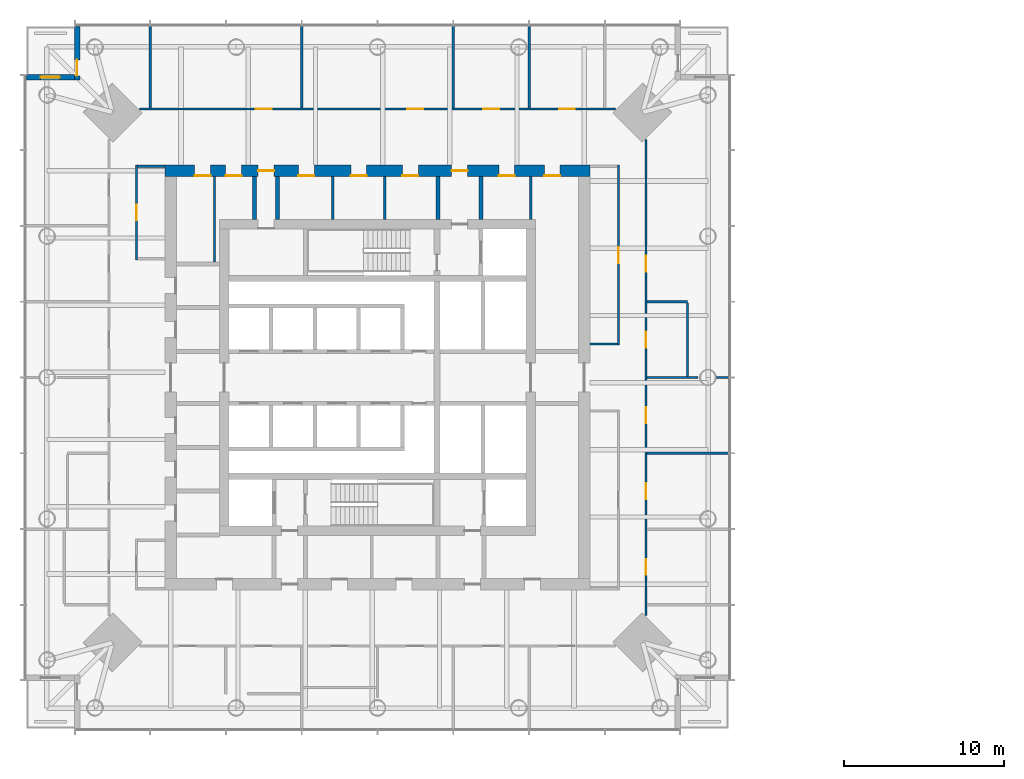
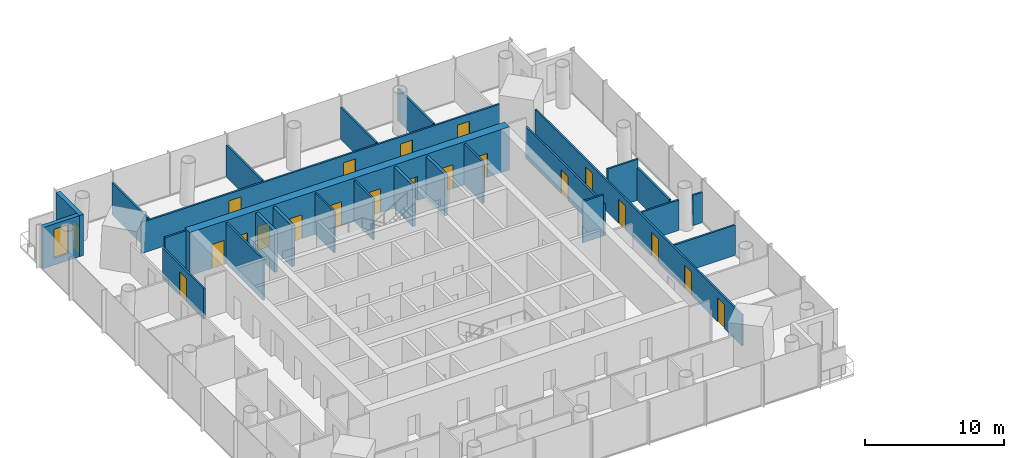
# One storey, part 11 of 18: 26 walls, 21 doors, 1 window, 22 openings.
"""IFC4 building model written with IfcOpenShell, lengths in metres."""

import ifcopenshell
import ifcopenshell.guid

model = None  # the IFC model being written
_history = None  # IfcOwnerHistory: only IFC2X3 demands one
_inside = {}  # id of a spatial element -> (the spatial element, [elements in it])
_under = {}  # id of a project, library or spatial element -> (it, [spatial elements below it])
_declared = {}  # id of a project -> (the project, [libraries it declares])
_typed = {}  # id of a type object -> (the type object, [elements of that type])
_made_of = {}  # id of a material, layer set ... -> (it, [elements and type objects made of it])


def new_model(schema):
    """Start an empty IFC model of exactly this schema.

    Asked for "IFC4X3", IfcOpenShell would pick the latest addendum, in which some entities
    have other attributes; the version numbers below select the first issue.
    IFC2X3 requires an IfcOwnerHistory on every rooted entity: one is made here for all.
    """
    global model, _history
    if schema == "IFC4X3":
        model = ifcopenshell.file(schema_version=(4, 3, 0, 0))
    else:
        model = ifcopenshell.file(schema=schema)
    _inside.clear()
    _under.clear()
    _declared.clear()
    _typed.clear()
    _made_of.clear()
    _history = None
    if model.schema == "IFC2X3":
        org = make("IfcOrganization", Name="unknown")
        user = make(
            "IfcPersonAndOrganization",
            ThePerson=make("IfcPerson", FamilyName="unknown"),
            TheOrganization=org,
        )
        app = make(
            "IfcApplication",
            ApplicationDeveloper=org,
            Version="unknown",
            ApplicationFullName="unknown",
            ApplicationIdentifier="unknown",
        )
        _history = make(
            "IfcOwnerHistory",
            OwningUser=user,
            OwningApplication=app,
            ChangeAction="ADDED",
            CreationDate=0,
        )
    return model


def make(cls, **values):
    """One entity of the class cls with the attributes given. An attribute that is None is left unset."""
    return model.create_entity(
        cls, **{name: value for name, value in values.items() if value is not None}
    )


def rooted(cls, **values):
    """An entity with a GlobalId (a new one), such as an element, a storey or a relation."""
    return make(cls, GlobalId=ifcopenshell.guid.new(), OwnerHistory=_history, **values)


def si_unit(unit_type, name, prefix=None):
    """IfcSIUnit, for example si_unit("LENGTHUNIT", "METRE", prefix="MILLI")."""
    return make("IfcSIUnit", UnitType=unit_type, Prefix=prefix, Name=name)


def assignment(units):
    """IfcUnitAssignment: the units of a project."""
    return None if units is None else make("IfcUnitAssignment", Units=units)


def point(xyz):
    """IfcCartesianPoint."""
    return None if xyz is None else make("IfcCartesianPoint", Coordinates=xyz)


def direction(xyz):
    """IfcDirection."""
    return None if xyz is None else make("IfcDirection", DirectionRatios=xyz)


def frame(location, z_axis=None, x_axis=None):
    """IfcAxis2Placement3D, a coordinate frame: its origin and axes. An axis left out is left unset."""
    return make(
        "IfcAxis2Placement3D",
        Location=point(location),
        Axis=direction(z_axis),
        RefDirection=direction(x_axis),
    )


def frame_2d(location, x_axis=None):
    """IfcAxis2Placement2D, a coordinate frame in the plane: its origin and x axis."""
    return make(
        "IfcAxis2Placement2D", Location=point(location), RefDirection=direction(x_axis)
    )


def origin():
    """The frame at (0, 0, 0) with its axes left unset."""
    return frame((0.0, 0.0, 0.0))


def place(relative_to, where):
    """IfcLocalPlacement: puts the frame where relative to a parent placement (None: the world)."""
    return make(
        "IfcLocalPlacement", PlacementRelTo=relative_to, RelativePlacement=where
    )


def context(
    kind, dimensions, precision=None, world=None, true_north=None, identifier=None
):
    """IfcGeometricRepresentationContext, for example the 3D "Model" context."""
    return make(
        "IfcGeometricRepresentationContext",
        ContextIdentifier=identifier,
        ContextType=kind,
        CoordinateSpaceDimension=dimensions,
        Precision=precision,
        WorldCoordinateSystem=world,
        TrueNorth=true_north,
    )


def subcontext(parent, identifier, kind, view, scale=None):
    """IfcGeometricRepresentationSubContext, for example "Body" below "Model"."""
    return make(
        "IfcGeometricRepresentationSubContext",
        ContextIdentifier=identifier,
        ContextType=kind,
        ParentContext=parent,
        TargetScale=scale,
        TargetView=view,
    )


def project(units=None, contexts=None):
    """IfcProject with its units and contexts."""
    return rooted(
        "IfcProject",
        Name="project",
        RepresentationContexts=contexts,
        UnitsInContext=assignment(units),
    )


def spatial(cls, under=None, at=None, **own):
    """A site, building, storey or space (cls), placed at a placement, below another one or the project."""
    s = rooted(cls, ObjectPlacement=at, **own)
    if under is not None:
        _under.setdefault(under.id(), (under, []))[1].append(s)
    return s


def profile(cls, at=None, kind="AREA", **sizes):
    """A parametric profile (cls). Its sizes go by their IFC names, for example OverallWidth=200.0."""
    return make(cls, ProfileType=kind, Position=at, **sizes)


def rectangle(**sizes):
    """IfcRectangleProfileDef."""
    return profile("IfcRectangleProfileDef", **sizes)


def extrude(swept, where, along, depth):
    """IfcExtrudedAreaSolid: the profile swept, set in the frame where, extruded along a direction by depth."""
    return make(
        "IfcExtrudedAreaSolid",
        SweptArea=swept,
        Position=where,
        ExtrudedDirection=direction(along),
        Depth=depth,
    )


def shape(context_of_items, identifier, shape_type, items):
    """IfcShapeRepresentation: the items that make up one representation, for example the "Body"."""
    return make(
        "IfcShapeRepresentation",
        ContextOfItems=context_of_items,
        RepresentationIdentifier=identifier,
        RepresentationType=shape_type,
        Items=items,
    )


def material(Name=None, Category=None):
    """IfcMaterial."""
    return make("IfcMaterial", Name=Name, Category=Category)


def layer(
    of_material, thickness, ventilated=None, Name=None, Category=None, Priority=None
):
    """IfcMaterialLayer: one layer of a wall or slab, of a material (None: an air gap)."""
    return make(
        "IfcMaterialLayer",
        Material=of_material,
        LayerThickness=thickness,
        IsVentilated=ventilated,
        Name=Name,
        Category=Category,
        Priority=Priority,
    )


def layer_set(layers, Name=None):
    """IfcMaterialLayerSet."""
    return make("IfcMaterialLayerSet", MaterialLayers=layers, LayerSetName=Name)


def made_of(thing, what):
    """Note that an element or type object is made of a material, layer set ...; save() writes the relation."""
    if what is not None:
        _made_of.setdefault(what.id(), (what, []))[1].append(thing)
    return thing


def type_object(cls, material=None, **own):
    """A type object (cls), such as IfcWallType, which elements share."""
    return made_of(rooted(cls, **own), material)


def element(
    cls,
    number,
    at=None,
    inside=None,
    cuts=None,
    type_object=None,
    material=None,
    context=None,
    identifier="Body",
    shape_type=None,
    held_by="IfcProductDefinitionShape",
    body=None,
    shapes=None,
    **own,
):
    """One element of the class cls, such as IfcWall. Its Tag is "e" and its number.

    at: its placement. inside: the storey or other place that contains it. cuts: it is an
    opening in that element (IfcRelVoidsElement). A single representation is given by context,
    identifier, shape_type and body (its items); several are given by shapes. held_by: the class
    of the entity that holds the representations. save() writes the other relations.
    """
    e = rooted(cls, Tag="e%d" % number, ObjectPlacement=at, **own)
    if body is not None:
        shapes = [shape(context, identifier, shape_type, body)]
    if shapes is not None:
        e.Representation = make(held_by, Representations=shapes)
    if inside is not None:
        _inside.setdefault(inside.id(), (inside, []))[1].append(e)
    if cuts is not None:
        rooted(
            "IfcRelVoidsElement", RelatingBuildingElement=cuts, RelatedOpeningElement=e
        )
    if type_object is not None:
        _typed.setdefault(type_object.id(), (type_object, []))[1].append(e)
    return made_of(e, material)


def fill(opening, filler):
    """IfcRelFillsElement: the door or window that sits in an opening."""
    return rooted(
        "IfcRelFillsElement",
        RelatingOpeningElement=opening,
        RelatedBuildingElement=filler,
    )


def aggregate(whole, parts):
    """IfcRelAggregates: a whole, such as a stair, and the parts it consists of."""
    return rooted("IfcRelAggregates", RelatingObject=whole, RelatedObjects=parts)


def save(model, path):
    """Write the relations noted so far, then the file.

    IfcRelAggregates (storeys below a building ...), IfcRelContainedInSpatialStructure (elements
    in a storey), IfcRelDefinesByType, IfcRelAssociatesMaterial and IfcRelDeclares: one each for
    every whole, place, type object, material and project.
    """
    for whole, parts in _under.values():
        aggregate(whole, parts)
    for where, things in _inside.values():
        rooted(
            "IfcRelContainedInSpatialStructure",
            RelatedElements=things,
            RelatingStructure=where,
        )
    for kind, things in _typed.values():
        rooted("IfcRelDefinesByType", RelatedObjects=things, RelatingType=kind)
    for what, things in _made_of.values():
        rooted("IfcRelAssociatesMaterial", RelatedObjects=things, RelatingMaterial=what)
    for by, libraries in _declared.values():
        rooted("IfcRelDeclares", RelatingContext=by, RelatedDefinitions=libraries)
    model.write(path)


model = new_model("IFC4")

# Units and contexts
model_context = context("Model", 3, precision=1e-05, world=origin(), true_north=direction((0.0, 1.0)))
body_context = subcontext(model_context, "Body", "Model", "MODEL_VIEW")
ifc_project = project(units=[si_unit("LENGTHUNIT", "METRE"), si_unit("AREAUNIT", "SQUARE_METRE"), si_unit("VOLUMEUNIT", "CUBIC_METRE"), si_unit("PLANEANGLEUNIT", "RADIAN"), si_unit("MASSUNIT", "GRAM", prefix="KILO")], contexts=[model_context])

# Site, building, storey
site_placement = place(None, origin())
site = spatial("IfcSite", under=ifc_project, at=site_placement, CompositionType="ELEMENT")
building_placement = place(site_placement, origin())
building = spatial("IfcBuilding", under=site, at=building_placement, Name="Ostroluk Exchange", CompositionType="ELEMENT")
storey_placement = place(building_placement, frame((0.0, 0.0, 123.60009765625)))
storey = spatial("IfcBuildingStorey", under=building, at=storey_placement, Name="L31", CompositionType="ELEMENT", Elevation=123.60009765625)

# Walls
ifc_material_1 = material(Name="Concrete blockwork", Category="masonry")
ifc_layer_1 = layer(ifc_material_1, 0.14990234375)
ifc_layer_set_1 = layer_set([ifc_layer_1], Name="Blockwork plant room wall 150")
wall_type_1 = type_object("IfcWallType", Name="Blockwork plant room wall 150", PredefinedType="SOLIDWALL", material=ifc_layer_set_1)
wall_1_placement = place(storey_placement, frame((34.78759765625, 53.25, 0.0), z_axis=(0.0, 0.0, 1.0), x_axis=(0.0, 1.0, 0.0)))
element("IfcWall", 1, at=wall_1_placement, inside=storey, type_object=wall_type_1, Name="Core room wall", PredefinedType="SOLIDWALL", context=body_context, shape_type="SweptSolid", body=[
    extrude(rectangle(XDim=5.35009765625, YDim=0.14990234375, at=frame_2d((2.675048828125, 0.0))), origin(), (0.0, 0.0, 1.0), 3.619873046875),
])
for number, where, z_axis, x_axis, name in (
    (2, (42.208740234375, 55.89990234375, 0.0), (0.0, 0.0, 1.0), (0.0, 1.0, 0.0), "Core room wall"),
    (3, (45.4443359375, 55.89990234375, 0.0), (0.0, 0.0, 1.0), (0.0, 1.0, 0.0), "Core room wall"),
    (4, (54.60009765625, 55.89990234375, 0.0), (0.0, 0.0, 1.0), (0.0, 1.0, 0.0), "Core room wall"),
):
    element("IfcWall", number, at=place(storey_placement, frame(where, z_axis=z_axis, x_axis=x_axis)), inside=storey, type_object=wall_type_1, Name=name, PredefinedType="SOLIDWALL", context=body_context, shape_type="SweptSolid", body=[
        extrude(rectangle(XDim=2.7001953125, YDim=0.14990234375, at=frame_2d((1.35009765625, 0.0))), origin(), (0.0, 0.0, 1.0), 3.619873046875),
    ])
ifc_material_2 = material(Name="Concrete blockwork", Category="masonry")
ifc_layer_2 = layer(ifc_material_2, 0.25)
ifc_layer_set_2 = layer_set([ifc_layer_2], Name="Blockwork stair enclosure wall 250")
wall_type_2 = type_object("IfcWallType", Name="Blockwork stair enclosure wall 250", PredefinedType="SOLIDWALL", material=ifc_layer_set_2)
for number, where, z_axis, x_axis, name in (
    (5, (48.804931640625, 55.89990234375, 0.0), (0.0, 0.0, 1.0), (0.0, 1.0, 0.0), "Fire lobby enclosure wall"),
    (6, (51.47509765625, 55.89990234375, 0.0), (0.0, 0.0, 1.0), (0.0, 1.0, 0.0), "Fire lobby enclosure wall"),
    (7, (37.300048828125, 55.89990234375, 0.0), (0.0, 0.0, 1.0), (0.0, 1.0, 0.0), "Core corridor wall"),
    (8, (38.75, 55.89990234375, 0.0), (0.0, 0.0, 1.0), (0.0, 1.0, 0.0), "Core corridor wall"),
):
    element("IfcWall", number, at=place(storey_placement, frame(where, z_axis=z_axis, x_axis=x_axis)), inside=storey, type_object=wall_type_2, Name=name, PredefinedType="SOLIDWALL", context=body_context, shape_type="SweptSolid", body=[
        extrude(rectangle(XDim=2.7001953125, YDim=0.25, at=frame_2d((1.35009765625, 0.0))), origin(), (0.0, 0.0, 1.0), 3.619873046875),
    ])

# Wall, openings, doors
ifc_material_3 = material(Name="Concrete C50/60", Category="concrete")
ifc_layer_3 = layer(ifc_material_3, 0.699951171875)
ifc_layer_set_3 = layer_set([ifc_layer_3], Name="Core wall 700 C50/60")
wall_type_3 = type_object("IfcWallType", Name="Core wall 700 C50/60", PredefinedType="SHEAR", material=ifc_layer_set_3)
wall_2_placement = place(storey_placement, frame((31.699951171875, 58.949951171875, 0.0), z_axis=(0.0, 0.0, 1.0), x_axis=(1.0, 0.0, 0.0)))
wall_2 = element("IfcWall", 9, at=wall_2_placement, inside=storey, type_object=wall_type_3, Name="T1 core wall RN", PredefinedType="SHEAR", context=body_context, shape_type="SweptSolid", body=[
    extrude(rectangle(XDim=26.60009765625, YDim=0.699951171875, at=frame_2d((13.300048828125, 0.0))), origin(), (0.0, 0.0, 1.0), 3.7998046875),
])
opening_1_placement = place(wall_2_placement, frame((17.93994140625, 0.0, 0.0)))
opening_1 = element("IfcOpeningElement", 10, at=opening_1_placement, cuts=wall_2, Name="Opening FD60", PredefinedType="OPENING", context=body_context, shape_type="SweptSolid", body=[
    extrude(rectangle(XDim=1.0, YDim=2.10009765625, at=frame_2d((0.5, 1.050048828125))), frame((0.0, 0.35986328125, 0.0), z_axis=(0.0, -1.0, 0.0), x_axis=(1.0, 0.0, 0.0)), (0.0, 0.0, 1.0), 0.719970703125),
])
opening_2_placement = place(wall_2_placement, frame((5.824951171875, 0.0, 0.0)))
opening_2 = element("IfcOpeningElement", 11, at=opening_2_placement, cuts=wall_2, Name="Opening FD60", PredefinedType="OPENING", context=body_context, shape_type="SweptSolid", body=[
    extrude(rectangle(XDim=1.0, YDim=2.10009765625, at=frame_2d((0.5, 1.050048828125))), frame((0.0, 0.35986328125, 0.0), z_axis=(0.0, -1.0, 0.0), x_axis=(1.0, 0.0, 0.0)), (0.0, 0.0, 1.0), 0.719970703125),
])
opening_3_placement = place(wall_2_placement, frame((1.83740234375, 0.0, 0.0)))
opening_3 = element("IfcOpeningElement", 12, at=opening_3_placement, cuts=wall_2, Name="Opening FD60", PredefinedType="OPENING", context=body_context, shape_type="SweptSolid", body=[
    extrude(rectangle(XDim=1.0, YDim=2.10009765625, at=frame_2d((0.5, 1.050048828125))), frame((0.0, 0.35986328125, 0.0), z_axis=(0.0, -1.0, 0.0), x_axis=(1.0, 0.0, 0.0)), (0.0, 0.0, 1.0), 0.719970703125),
])
opening_4_placement = place(wall_2_placement, frame((3.78125, 0.0, 0.0)))
opening_4 = element("IfcOpeningElement", 13, at=opening_4_placement, cuts=wall_2, Name="Opening FD60", PredefinedType="OPENING", context=body_context, shape_type="SweptSolid", body=[
    extrude(rectangle(XDim=1.0, YDim=2.10009765625, at=frame_2d((0.5, 1.050048828125))), frame((0.0, 0.35986328125, 0.0), z_axis=(0.0, -1.0, 0.0), x_axis=(1.0, 0.0, 0.0)), (0.0, 0.0, 1.0), 0.719970703125),
])
opening_5_placement = place(wall_2_placement, frame((8.341796875, 0.0, 0.0)))
opening_5 = element("IfcOpeningElement", 14, at=opening_5_placement, cuts=wall_2, Name="Opening FD60", PredefinedType="OPENING", context=body_context, shape_type="SweptSolid", body=[
    extrude(rectangle(XDim=1.0, YDim=2.10009765625, at=frame_2d((0.5, 1.050048828125))), frame((0.0, 0.35986328125, 0.0), z_axis=(0.0, -1.0, 0.0), x_axis=(1.0, 0.0, 0.0)), (0.0, 0.0, 1.0), 0.719970703125),
])
opening_6_placement = place(wall_2_placement, frame((11.62646484375, 0.0, 0.0)))
opening_6 = element("IfcOpeningElement", 15, at=opening_6_placement, cuts=wall_2, Name="Opening FD60", PredefinedType="OPENING", context=body_context, shape_type="SweptSolid", body=[
    extrude(rectangle(XDim=1.0, YDim=2.10009765625, at=frame_2d((0.5, 1.050048828125))), frame((0.0, 0.35986328125, 0.0), z_axis=(0.0, -1.0, 0.0), x_axis=(1.0, 0.0, 0.0)), (0.0, 0.0, 1.0), 0.719970703125),
])
opening_7_placement = place(wall_2_placement, frame((14.862060546875, 0.0, 0.0)))
opening_7 = element("IfcOpeningElement", 16, at=opening_7_placement, cuts=wall_2, Name="Opening FD60", PredefinedType="OPENING", context=body_context, shape_type="SweptSolid", body=[
    extrude(rectangle(XDim=1.0, YDim=2.10009765625, at=frame_2d((0.5, 1.050048828125))), frame((0.0, 0.35986328125, 0.0), z_axis=(0.0, -1.0, 0.0), x_axis=(1.0, 0.0, 0.0)), (0.0, 0.0, 1.0), 0.719970703125),
])
opening_8_placement = place(wall_2_placement, frame((20.89990234375, 0.0, 0.0)))
opening_8 = element("IfcOpeningElement", 17, at=opening_8_placement, cuts=wall_2, Name="Opening FD60", PredefinedType="OPENING", context=body_context, shape_type="SweptSolid", body=[
    extrude(rectangle(XDim=1.0, YDim=2.10009765625, at=frame_2d((0.5, 1.050048828125))), frame((0.0, 0.35986328125, 0.0), z_axis=(0.0, -1.0, 0.0), x_axis=(1.0, 0.0, 0.0)), (0.0, 0.0, 1.0), 0.719970703125),
])
opening_9_placement = place(wall_2_placement, frame((23.75, 0.0, 0.0)))
opening_9 = element("IfcOpeningElement", 18, at=opening_9_placement, cuts=wall_2, Name="Opening FD60", PredefinedType="OPENING", context=body_context, shape_type="SweptSolid", body=[
    extrude(rectangle(XDim=1.0, YDim=2.10009765625, at=frame_2d((0.5, 1.050048828125))), frame((0.0, 0.35986328125, 0.0), z_axis=(0.0, -1.0, 0.0), x_axis=(1.0, 0.0, 0.0)), (0.0, 0.0, 1.0), 0.719970703125),
])
ifc_material_4 = material(Name="Steel", Category="steel")
door_type_1 = type_object("IfcDoorType", Name="Fire door EI 60 1000 x 2100", OperationType="SINGLE_SWING_LEFT", PredefinedType="DOOR", material=ifc_material_4)
door_1_placement = place(opening_1_placement, origin())
door_1 = element("IfcDoor", 19, at=door_1_placement, inside=storey, type_object=door_type_1, Name="Firefighting lobby door", OperationType="SINGLE_SWING_RIGHT", OverallHeight=2.10009765625, OverallWidth=1.0, PredefinedType="DOOR", context=body_context, shape_type="SweptSolid", body=[
    extrude(rectangle(XDim=1.0, YDim=2.10009765625, at=frame_2d((0.5, 1.050048828125))), frame((0.0, 0.02490234375, 0.0), z_axis=(0.0, -1.0, 0.0), x_axis=(1.0, 0.0, 0.0)), (0.0, 0.0, 1.0), 0.050048828125),
])
fill(opening_1, door_1)
door_2_placement = place(opening_2_placement, origin())
door_2 = element("IfcDoor", 20, at=door_2_placement, inside=storey, type_object=door_type_1, Name="Core corridor door", OperationType="SINGLE_SWING_LEFT", OverallHeight=2.10009765625, OverallWidth=1.0, PredefinedType="DOOR", context=body_context, shape_type="SweptSolid", body=[
    extrude(rectangle(XDim=1.0, YDim=2.10009765625, at=frame_2d((0.5, 1.050048828125))), frame((0.0, 0.02490234375, 0.0), z_axis=(0.0, -1.0, 0.0), x_axis=(1.0, 0.0, 0.0)), (0.0, 0.0, 1.0), 0.050048828125),
])
fill(opening_2, door_2)
door_3_placement = place(opening_3_placement, origin())
door_3 = element("IfcDoor", 21, at=door_3_placement, inside=storey, type_object=door_type_1, Name="Tenant IT room door", OperationType="SINGLE_SWING_LEFT", OverallHeight=2.10009765625, OverallWidth=1.0, PredefinedType="DOOR", context=body_context, shape_type="SweptSolid", body=[
    extrude(rectangle(XDim=1.0, YDim=2.10009765625, at=frame_2d((0.5, 1.050048828125))), frame((0.0, -0.2900390625, 0.0), z_axis=(0.0, -1.0, 0.0), x_axis=(1.0, 0.0, 0.0)), (0.0, 0.0, 1.0), 0.050048828125),
])
fill(opening_3, door_3)
door_4_placement = place(opening_4_placement, origin())
door_4 = element("IfcDoor", 22, at=door_4_placement, inside=storey, type_object=door_type_1, Name="First aid room door", OperationType="SINGLE_SWING_LEFT", OverallHeight=2.10009765625, OverallWidth=1.0, PredefinedType="DOOR", context=body_context, shape_type="SweptSolid", body=[
    extrude(rectangle(XDim=1.0, YDim=2.10009765625, at=frame_2d((0.5, 1.050048828125))), frame((0.0, -0.2900390625, 0.0), z_axis=(0.0, -1.0, 0.0), x_axis=(1.0, 0.0, 0.0)), (0.0, 0.0, 1.0), 0.050048828125),
])
fill(opening_4, door_4)
door_5_placement = place(opening_5_placement, origin())
door_5 = element("IfcDoor", 23, at=door_5_placement, inside=storey, type_object=door_type_1, Name="Print and post room door", OperationType="SINGLE_SWING_LEFT", OverallHeight=2.10009765625, OverallWidth=1.0, PredefinedType="DOOR", context=body_context, shape_type="SweptSolid", body=[
    extrude(rectangle(XDim=1.0, YDim=2.10009765625, at=frame_2d((0.5, 1.050048828125))), frame((0.0, -0.2900390625, 0.0), z_axis=(0.0, -1.0, 0.0), x_axis=(1.0, 0.0, 0.0)), (0.0, 0.0, 1.0), 0.050048828125),
])
fill(opening_5, door_5)
door_6_placement = place(opening_6_placement, origin())
door_6 = element("IfcDoor", 24, at=door_6_placement, inside=storey, type_object=door_type_1, Name="Archive door", OperationType="SINGLE_SWING_LEFT", OverallHeight=2.10009765625, OverallWidth=1.0, PredefinedType="DOOR", context=body_context, shape_type="SweptSolid", body=[
    extrude(rectangle(XDim=1.0, YDim=2.10009765625, at=frame_2d((0.5, 1.050048828125))), frame((0.0, -0.2900390625, 0.0), z_axis=(0.0, -1.0, 0.0), x_axis=(1.0, 0.0, 0.0)), (0.0, 0.0, 1.0), 0.050048828125),
])
fill(opening_6, door_6)
door_7_placement = place(opening_7_placement, origin())
door_7 = element("IfcDoor", 25, at=door_7_placement, inside=storey, type_object=door_type_1, Name="Tenant IT room door", OperationType="SINGLE_SWING_RIGHT", OverallHeight=2.10009765625, OverallWidth=1.0, PredefinedType="DOOR", context=body_context, shape_type="SweptSolid", body=[
    extrude(rectangle(XDim=1.0, YDim=2.10009765625, at=frame_2d((0.5, 1.050048828125))), frame((0.0, -0.2900390625, 0.0), z_axis=(0.0, -1.0, 0.0), x_axis=(1.0, 0.0, 0.0)), (0.0, 0.0, 1.0), 0.050048828125),
])
fill(opening_7, door_7)
door_8_placement = place(opening_8_placement, origin())
door_8 = element("IfcDoor", 26, at=door_8_placement, inside=storey, type_object=door_type_1, Name="First aid room door", OperationType="SINGLE_SWING_RIGHT", OverallHeight=2.10009765625, OverallWidth=1.0, PredefinedType="DOOR", context=body_context, shape_type="SweptSolid", body=[
    extrude(rectangle(XDim=1.0, YDim=2.10009765625, at=frame_2d((0.5, 1.050048828125))), frame((0.0, -0.2900390625, 0.0), z_axis=(0.0, -1.0, 0.0), x_axis=(1.0, 0.0, 0.0)), (0.0, 0.0, 1.0), 0.050048828125),
])
fill(opening_8, door_8)
door_9_placement = place(opening_9_placement, origin())
door_9 = element("IfcDoor", 27, at=door_9_placement, inside=storey, type_object=door_type_1, Name="Tea point door", OperationType="SINGLE_SWING_RIGHT", OverallHeight=2.10009765625, OverallWidth=1.0, PredefinedType="DOOR", context=body_context, shape_type="SweptSolid", body=[
    extrude(rectangle(XDim=1.0, YDim=2.10009765625, at=frame_2d((0.5, 1.050048828125))), frame((0.0, -0.2900390625, 0.0), z_axis=(0.0, -1.0, 0.0), x_axis=(1.0, 0.0, 0.0)), (0.0, 0.0, 1.0), 0.050048828125),
])
fill(opening_9, door_9)

# Wall, opening, door
ifc_material_5 = material(Name="Limestone", Category="masonry")
ifc_layer_4 = layer(ifc_material_5, 0.35009765625)
ifc_layer_set_4 = layer_set([ifc_layer_4], Name="Limestone facade wall 350")
wall_type_4 = type_object("IfcWallType", Name="Limestone facade wall 350", PredefinedType="SOLIDWALL", material=ifc_layer_set_4)
wall_3_placement = place(storey_placement, frame((26.175048828125, 68.0, 0.0), z_axis=(0.0, 0.0, 1.0), x_axis=(0.0, -1.0, 0.0)))
wall_3 = element("IfcWall", 28, at=wall_3_placement, inside=storey, type_object=wall_type_4, Name="Office tower NW corner wall L31 a", PredefinedType="SOLIDWALL", context=body_context, shape_type="SweptSolid", body=[
    extrude(rectangle(XDim=3.35009765625, YDim=0.35009765625, at=frame_2d((1.675048828125, 0.0))), origin(), (0.0, 0.0, 1.0), 3.619873046875),
])
opening_10_placement = place(wall_3_placement, frame((2.10009765625, 0.0, 0.0)))
opening_10 = element("IfcOpeningElement", 29, at=opening_10_placement, cuts=wall_3, Name="Opening D-B1", PredefinedType="OPENING", context=body_context, shape_type="SweptSolid", body=[
    extrude(rectangle(XDim=1.0, YDim=2.39990234375, at=frame_2d((0.5, 1.199951171875))), frame((0.0, 0.18505859375, 0.0), z_axis=(0.0, -1.0, 0.0), x_axis=(1.0, 0.0, 0.0)), (0.0, 0.0, 1.0), 0.3701171875),
])
ifc_material_6 = material(Name="Bronze framed glazed door", Category="aluminium")
door_type_2 = type_object("IfcDoorType", Name="Balcony door 1000 x 2400", OperationType="SINGLE_SWING_LEFT", PredefinedType="DOOR", material=ifc_material_6)
door_10_placement = place(opening_10_placement, origin())
door_10 = element("IfcDoor", 30, at=door_10_placement, inside=storey, type_object=door_type_2, Name="Office tower NW balcony door L31", OperationType="SINGLE_SWING_RIGHT", OverallHeight=2.39990234375, OverallWidth=1.0, PredefinedType="DOOR", context=body_context, shape_type="SweptSolid", body=[
    extrude(rectangle(XDim=1.0, YDim=2.39990234375, at=frame_2d((0.5, 1.199951171875))), frame((0.0, 0.02490234375, 0.0), z_axis=(0.0, -1.0, 0.0), x_axis=(1.0, 0.0, 0.0)), (0.0, 0.0, 1.0), 0.050048828125),
])
fill(opening_10, door_10)

# Wall, opening, window
wall_4_placement = place(storey_placement, frame((26.0, 64.824951171875, 0.0), z_axis=(0.0, 0.0, 1.0), x_axis=(-1.0, 0.0, 0.0)))
wall_4 = element("IfcWall", 31, at=wall_4_placement, inside=storey, type_object=wall_type_4, Name="Office tower NW corner wall L31 b", PredefinedType="SOLIDWALL", context=body_context, shape_type="SweptSolid", body=[
    extrude(rectangle(XDim=3.0, YDim=0.35009765625, at=frame_2d((1.5, 0.0))), origin(), (0.0, 0.0, 1.0), 3.619873046875),
])
opening_11_placement = place(wall_4_placement, frame((0.89990234375, 0.0, 0.60009765625)))
opening_11 = element("IfcOpeningElement", 32, at=opening_11_placement, cuts=wall_4, Name="Opening WN-L1", PredefinedType="OPENING", context=body_context, shape_type="SweptSolid", body=[
    extrude(rectangle(XDim=1.199951171875, YDim=2.550048828125, at=frame_2d((0.60009765625, 1.27490234375))), frame((0.0, 0.18505859375, 0.0), z_axis=(0.0, -1.0, 0.0), x_axis=(1.0, 0.0, 0.0)), (0.0, 0.0, 1.0), 0.3701171875),
])
ifc_material_7 = material(Name="Laminated clear glass", Category="glass")
window_type = type_object("IfcWindowType", Name="Lancet window 1200 x 2550", PartitioningType="SINGLE_PANEL", PredefinedType="WINDOW", material=ifc_material_7)
window_placement = place(opening_11_placement, origin())
window = element("IfcWindow", 33, at=window_placement, inside=storey, type_object=window_type, Name="Office tower NW lancet window L31", OverallHeight=2.550048828125, OverallWidth=1.199951171875, PartitioningType="SINGLE_PANEL", PredefinedType="WINDOW", context=body_context, shape_type="SweptSolid", body=[
    extrude(rectangle(XDim=1.199951171875, YDim=2.550048828125, at=frame_2d((0.60009765625, 1.27490234375))), frame((0.0, 0.030029296875, 0.0), z_axis=(0.0, -1.0, 0.0), x_axis=(1.0, 0.0, 0.0)), (0.0, 0.0, 1.0), 0.06005859375),
])
fill(opening_11, window)

# Wall, opening, door
ifc_material_8 = material(Name="Gypsum plasterboard partition", Category="gypsum")
ifc_layer_5 = layer(ifc_material_8, 0.14990234375)
ifc_layer_set_5 = layer_set([ifc_layer_5], Name="Plasterboard partition 150")
wall_type_5 = type_object("IfcWallType", Name="Plasterboard partition 150", PredefinedType="PARTITIONING", material=ifc_layer_set_5)
wall_5_placement = place(storey_placement, frame((60.10009765625, 48.02490234375, 0.0), z_axis=(0.0, 0.0, 1.0), x_axis=(0.0, 1.0, 0.0)))
wall_5 = element("IfcWall", 34, at=wall_5_placement, inside=storey, type_object=wall_type_5, Name="Partition", PredefinedType="PARTITIONING", context=body_context, shape_type="SweptSolid", body=[
    extrude(rectangle(XDim=11.275146484375, YDim=0.14990234375, at=frame_2d((5.6376953125, 0.0))), origin(), (0.0, 0.0, 1.0), 2.805908203125),
])
opening_12_placement = place(wall_5_placement, frame((5.137451171875, 0.0, 0.0)))
opening_12 = element("IfcOpeningElement", 35, at=opening_12_placement, cuts=wall_5, Name="Opening D-03", PredefinedType="OPENING", context=body_context, shape_type="SweptSolid", body=[
    extrude(rectangle(XDim=1.0, YDim=2.10009765625, at=frame_2d((0.5, 1.050048828125))), frame((0.0, 0.0849609375, 0.0), z_axis=(0.0, -1.0, 0.0), x_axis=(1.0, 0.0, 0.0)), (0.0, 0.0, 1.0), 0.169921875),
])
ifc_material_9 = material(Name="Timber", Category="wood")
door_type_3 = type_object("IfcDoorType", Name="Internal door 1000 x 2100", OperationType="SINGLE_SWING_LEFT", PredefinedType="DOOR", material=ifc_material_9)
door_11_placement = place(opening_12_placement, origin())
door_11 = element("IfcDoor", 36, at=door_11_placement, inside=storey, type_object=door_type_3, Name="Staff room door", OperationType="SINGLE_SWING_RIGHT", OverallHeight=2.10009765625, OverallWidth=1.0, PredefinedType="DOOR", context=body_context, shape_type="SweptSolid", body=[
    extrude(rectangle(XDim=1.0, YDim=2.10009765625, at=frame_2d((0.5, 1.050048828125))), frame((0.0, 0.02490234375, 0.0), z_axis=(0.0, -1.0, 0.0), x_axis=(1.0, 0.0, 0.0)), (0.0, 0.0, 1.0), 0.050048828125),
])
fill(opening_12, door_11)

# Wall
wall_6_placement = place(storey_placement, frame((58.300048828125, 48.10009765625, 0.0), z_axis=(0.0, 0.0, 1.0), x_axis=(1.0, 0.0, 0.0)))
element("IfcWall", 37, at=wall_6_placement, inside=storey, type_object=wall_type_5, Name="Partition", PredefinedType="PARTITIONING", context=body_context, shape_type="SweptSolid", body=[
    extrude(rectangle(XDim=1.724853515625, YDim=0.14990234375, at=frame_2d((0.8623046875, 0.0))), origin(), (0.0, 0.0, 1.0), 3.619873046875),
])

# Wall, opening, door
wall_7_placement = place(storey_placement, frame((29.89990234375, 59.300048828125, 0.0), z_axis=(0.0, 0.0, 1.0), x_axis=(0.0, -1.0, 0.0)))
wall_7 = element("IfcWall", 38, at=wall_7_placement, inside=storey, type_object=wall_type_5, Name="Partition", PredefinedType="PARTITIONING", context=body_context, shape_type="SweptSolid", body=[
    extrude(rectangle(XDim=5.925048828125, YDim=0.14990234375, at=frame_2d((2.96240234375, 0.0))), origin(), (0.0, 0.0, 1.0), 2.719970703125),
])
opening_13_placement = place(wall_7_placement, frame((2.46240234375, 0.0, 0.0)))
opening_13 = element("IfcOpeningElement", 39, at=opening_13_placement, cuts=wall_7, Name="Opening D-03", PredefinedType="OPENING", context=body_context, shape_type="SweptSolid", body=[
    extrude(rectangle(XDim=1.0, YDim=2.10009765625, at=frame_2d((0.5, 1.050048828125))), frame((0.0, 0.0849609375, 0.0), z_axis=(0.0, -1.0, 0.0), x_axis=(1.0, 0.0, 0.0)), (0.0, 0.0, 1.0), 0.169921875),
])
door_12_placement = place(opening_13_placement, origin())
door_12 = element("IfcDoor", 40, at=door_12_placement, inside=storey, type_object=door_type_3, Name="Staff room door", OperationType="SINGLE_SWING_RIGHT", OverallHeight=2.10009765625, OverallWidth=1.0, PredefinedType="DOOR", context=body_context, shape_type="SweptSolid", body=[
    extrude(rectangle(XDim=1.0, YDim=2.10009765625, at=frame_2d((0.5, 1.050048828125))), frame((0.0, 0.02490234375, 0.0), z_axis=(0.0, -1.0, 0.0), x_axis=(1.0, 0.0, 0.0)), (0.0, 0.0, 1.0), 0.050048828125),
])
fill(opening_13, door_12)

# Walls
wall_8_placement = place(storey_placement, frame((31.699951171875, 59.22509765625, 0.0), z_axis=(0.0, 0.0, 1.0), x_axis=(-1.0, 0.0, 0.0)))
element("IfcWall", 41, at=wall_8_placement, inside=storey, type_object=wall_type_5, Name="Partition", PredefinedType="PARTITIONING", context=body_context, shape_type="SweptSolid", body=[
    extrude(rectangle(XDim=1.724853515625, YDim=0.14990234375, at=frame_2d((0.8623046875, 0.0))), origin(), (0.0, 0.0, 1.0), 3.619873046875),
])
wall_9_placement = place(storey_placement, frame((64.425048828125, 46.074951171875, 0.0), z_axis=(0.0, 0.0, 1.0), x_axis=(0.0, 1.0, 0.0)))
element("IfcWall", 42, at=wall_9_placement, inside=storey, type_object=wall_type_5, Name="Partition", PredefinedType="PARTITIONING", context=body_context, shape_type="SweptSolid", body=[
    extrude(rectangle(XDim=4.60009765625, YDim=0.14990234375, at=frame_2d((2.300048828125, 0.0))), origin(), (0.0, 0.0, 1.0), 2.85791015625),
])

# Wall, openings, doors
wall_10_placement = place(storey_placement, frame((61.824951171875, 31.08837890625, 0.0), z_axis=(0.0, 0.0, 1.0), x_axis=(0.0, 1.0, 0.0)))
wall_10 = element("IfcWall", 43, at=wall_10_placement, inside=storey, type_object=wall_type_5, Name="Partition", PredefinedType="PARTITIONING", context=body_context, shape_type="SweptSolid", body=[
    extrude(rectangle(XDim=29.8232421875, YDim=0.14990234375, at=frame_2d((14.91162109375, 0.0))), origin(), (0.0, 0.0, 1.0), 2.719970703125),
])
opening_14_placement = place(wall_10_placement, frame((2.53662109375, 0.0, 0.0)))
opening_14 = element("IfcOpeningElement", 44, at=opening_14_placement, cuts=wall_10, Name="Opening D-03", PredefinedType="OPENING", context=body_context, shape_type="SweptSolid", body=[
    extrude(rectangle(XDim=1.0, YDim=2.10009765625, at=frame_2d((0.5, 1.050048828125))), frame((0.0, 0.0849609375, 0.0), z_axis=(0.0, -1.0, 0.0), x_axis=(1.0, 0.0, 0.0)), (0.0, 0.0, 1.0), 0.169921875),
])
opening_15_placement = place(wall_10_placement, frame((7.28662109375, 0.0, 0.0)))
opening_15 = element("IfcOpeningElement", 45, at=opening_15_placement, cuts=wall_10, Name="Opening D-03", PredefinedType="OPENING", context=body_context, shape_type="SweptSolid", body=[
    extrude(rectangle(XDim=1.0, YDim=2.10009765625, at=frame_2d((0.5, 1.050048828125))), frame((0.0, 0.0849609375, 0.0), z_axis=(0.0, -1.0, 0.0), x_axis=(1.0, 0.0, 0.0)), (0.0, 0.0, 1.0), 0.169921875),
])
opening_16_placement = place(wall_10_placement, frame((12.03662109375, 0.0, 0.0)))
opening_16 = element("IfcOpeningElement", 46, at=opening_16_placement, cuts=wall_10, Name="Opening D-03", PredefinedType="OPENING", context=body_context, shape_type="SweptSolid", body=[
    extrude(rectangle(XDim=1.0, YDim=2.10009765625, at=frame_2d((0.5, 1.050048828125))), frame((0.0, 0.0849609375, 0.0), z_axis=(0.0, -1.0, 0.0), x_axis=(1.0, 0.0, 0.0)), (0.0, 0.0, 1.0), 0.169921875),
])
opening_17_placement = place(wall_10_placement, frame((16.78662109375, 0.0, 0.0)))
opening_17 = element("IfcOpeningElement", 47, at=opening_17_placement, cuts=wall_10, Name="Opening D-03", PredefinedType="OPENING", context=body_context, shape_type="SweptSolid", body=[
    extrude(rectangle(XDim=1.0, YDim=2.10009765625, at=frame_2d((0.5, 1.050048828125))), frame((0.0, 0.0849609375, 0.0), z_axis=(0.0, -1.0, 0.0), x_axis=(1.0, 0.0, 0.0)), (0.0, 0.0, 1.0), 0.169921875),
])
opening_18_placement = place(wall_10_placement, frame((21.53662109375, 0.0, 0.0)))
opening_18 = element("IfcOpeningElement", 48, at=opening_18_placement, cuts=wall_10, Name="Opening D-03", PredefinedType="OPENING", context=body_context, shape_type="SweptSolid", body=[
    extrude(rectangle(XDim=1.0, YDim=2.10009765625, at=frame_2d((0.5, 1.050048828125))), frame((0.0, 0.0849609375, 0.0), z_axis=(0.0, -1.0, 0.0), x_axis=(1.0, 0.0, 0.0)), (0.0, 0.0, 1.0), 0.169921875),
])
door_13_placement = place(opening_14_placement, origin())
door_13 = element("IfcDoor", 49, at=door_13_placement, inside=storey, type_object=door_type_3, Name="Office door", OperationType="SINGLE_SWING_LEFT", OverallHeight=2.10009765625, OverallWidth=1.0, PredefinedType="DOOR", context=body_context, shape_type="SweptSolid", body=[
    extrude(rectangle(XDim=1.0, YDim=2.10009765625, at=frame_2d((0.5, 1.050048828125))), frame((0.0, 0.02490234375, 0.0), z_axis=(0.0, -1.0, 0.0), x_axis=(1.0, 0.0, 0.0)), (0.0, 0.0, 1.0), 0.050048828125),
])
fill(opening_14, door_13)
door_14_placement = place(opening_15_placement, origin())
door_14 = element("IfcDoor", 50, at=door_14_placement, inside=storey, type_object=door_type_3, Name="Meeting room door", OperationType="SINGLE_SWING_LEFT", OverallHeight=2.10009765625, OverallWidth=1.0, PredefinedType="DOOR", context=body_context, shape_type="SweptSolid", body=[
    extrude(rectangle(XDim=1.0, YDim=2.10009765625, at=frame_2d((0.5, 1.050048828125))), frame((0.0, 0.02490234375, 0.0), z_axis=(0.0, -1.0, 0.0), x_axis=(1.0, 0.0, 0.0)), (0.0, 0.0, 1.0), 0.050048828125),
])
fill(opening_15, door_14)
door_15_placement = place(opening_16_placement, origin())
door_15 = element("IfcDoor", 51, at=door_15_placement, inside=storey, type_object=door_type_3, Name="Meeting room door", OperationType="SINGLE_SWING_LEFT", OverallHeight=2.10009765625, OverallWidth=1.0, PredefinedType="DOOR", context=body_context, shape_type="SweptSolid", body=[
    extrude(rectangle(XDim=1.0, YDim=2.10009765625, at=frame_2d((0.5, 1.050048828125))), frame((0.0, 0.02490234375, 0.0), z_axis=(0.0, -1.0, 0.0), x_axis=(1.0, 0.0, 0.0)), (0.0, 0.0, 1.0), 0.050048828125),
])
fill(opening_16, door_15)
door_16_placement = place(opening_17_placement, origin())
door_16 = element("IfcDoor", 52, at=door_16_placement, inside=storey, type_object=door_type_3, Name="Pantry door", OperationType="SINGLE_SWING_RIGHT", OverallHeight=2.10009765625, OverallWidth=1.0, PredefinedType="DOOR", context=body_context, shape_type="SweptSolid", body=[
    extrude(rectangle(XDim=1.0, YDim=2.10009765625, at=frame_2d((0.5, 1.050048828125))), frame((0.0, 0.02490234375, 0.0), z_axis=(0.0, -1.0, 0.0), x_axis=(1.0, 0.0, 0.0)), (0.0, 0.0, 1.0), 0.050048828125),
])
fill(opening_17, door_16)
door_17_placement = place(opening_18_placement, origin())
door_17 = element("IfcDoor", 53, at=door_17_placement, inside=storey, type_object=door_type_3, Name="Office door", OperationType="SINGLE_SWING_RIGHT", OverallHeight=2.10009765625, OverallWidth=1.0, PredefinedType="DOOR", context=body_context, shape_type="SweptSolid", body=[
    extrude(rectangle(XDim=1.0, YDim=2.10009765625, at=frame_2d((0.5, 1.050048828125))), frame((0.0, 0.02490234375, 0.0), z_axis=(0.0, -1.0, 0.0), x_axis=(1.0, 0.0, 0.0)), (0.0, 0.0, 1.0), 0.050048828125),
])
fill(opening_18, door_17)

# Walls
wall_11_placement = place(storey_placement, frame((61.89990234375, 41.25, 0.0), z_axis=(0.0, 0.0, 1.0), x_axis=(1.0, 0.0, 0.0)))
element("IfcWall", 54, at=wall_11_placement, inside=storey, type_object=wall_type_5, Name="Partition", PredefinedType="PARTITIONING", context=body_context, shape_type="SweptSolid", body=[
    extrude(rectangle(XDim=5.14013671875, YDim=0.14990234375, at=frame_2d((2.570068359375, 0.0))), origin(), (0.0, 0.0, 1.0), 2.669921875),
])
wall_12_placement = place(storey_placement, frame((61.89990234375, 46.0, 0.0), z_axis=(0.0, 0.0, 1.0), x_axis=(1.0, 0.0, 0.0)))
element("IfcWall", 55, at=wall_12_placement, inside=storey, type_object=wall_type_5, Name="Partition", PredefinedType="PARTITIONING", context=body_context, shape_type="SweptSolid", body=[
    extrude(rectangle(XDim=3.192138671875, YDim=0.14990234375, at=frame_2d((1.59619140625, 0.0))), origin(), (0.0, 0.0, 1.0), 2.669921875),
])
wall_13_placement = place(storey_placement, frame((66.2294921875, 46.0, 0.0), z_axis=(0.0, 0.0, 1.0), x_axis=(1.0, 0.0, 0.0)))
element("IfcWall", 56, at=wall_13_placement, inside=storey, type_object=wall_type_5, Name="Partition", PredefinedType="PARTITIONING", context=body_context, shape_type="SweptSolid", body=[
    extrude(rectangle(XDim=0.810546875, YDim=0.14990234375, at=frame_2d((0.4052734375, 0.0))), origin(), (0.0, 0.0, 1.0), 2.669921875),
])
wall_14_placement = place(storey_placement, frame((61.89990234375, 50.75, 0.0), z_axis=(0.0, 0.0, 1.0), x_axis=(1.0, 0.0, 0.0)))
element("IfcWall", 57, at=wall_14_placement, inside=storey, type_object=wall_type_5, Name="Partition", PredefinedType="PARTITIONING", context=body_context, shape_type="SweptSolid", body=[
    extrude(rectangle(XDim=2.525146484375, YDim=0.14990234375, at=frame_2d((1.2626953125, 0.0))), origin(), (0.0, 0.0, 1.0), 3.619873046875),
])

# Wall, openings, doors
wall_15_placement = place(storey_placement, frame((59.91162109375, 62.824951171875, 0.0), z_axis=(0.0, 0.0, 1.0), x_axis=(-1.0, 0.0, 0.0)))
wall_15 = element("IfcWall", 58, at=wall_15_placement, inside=storey, type_object=wall_type_5, Name="Partition", PredefinedType="PARTITIONING", context=body_context, shape_type="SweptSolid", body=[
    extrude(rectangle(XDim=29.8232421875, YDim=0.14990234375, at=frame_2d((14.91162109375, 0.0))), origin(), (0.0, 0.0, 1.0), 2.719970703125),
])
opening_19_placement = place(wall_15_placement, frame((2.53662109375, 0.0, 0.0)))
opening_19 = element("IfcOpeningElement", 59, at=opening_19_placement, cuts=wall_15, Name="Opening D-03", PredefinedType="OPENING", context=body_context, shape_type="SweptSolid", body=[
    extrude(rectangle(XDim=1.0, YDim=2.10009765625, at=frame_2d((0.5, 1.050048828125))), frame((0.0, 0.0849609375, 0.0), z_axis=(0.0, -1.0, 0.0), x_axis=(1.0, 0.0, 0.0)), (0.0, 0.0, 1.0), 0.169921875),
])
opening_20_placement = place(wall_15_placement, frame((7.28662109375, 0.0, 0.0)))
opening_20 = element("IfcOpeningElement", 60, at=opening_20_placement, cuts=wall_15, Name="Opening D-03", PredefinedType="OPENING", context=body_context, shape_type="SweptSolid", body=[
    extrude(rectangle(XDim=1.0, YDim=2.10009765625, at=frame_2d((0.5, 1.050048828125))), frame((0.0, 0.0849609375, 0.0), z_axis=(0.0, -1.0, 0.0), x_axis=(1.0, 0.0, 0.0)), (0.0, 0.0, 1.0), 0.169921875),
])
opening_21_placement = place(wall_15_placement, frame((12.03662109375, 0.0, 0.0)))
opening_21 = element("IfcOpeningElement", 61, at=opening_21_placement, cuts=wall_15, Name="Opening D-03", PredefinedType="OPENING", context=body_context, shape_type="SweptSolid", body=[
    extrude(rectangle(XDim=1.0, YDim=2.10009765625, at=frame_2d((0.5, 1.050048828125))), frame((0.0, 0.0849609375, 0.0), z_axis=(0.0, -1.0, 0.0), x_axis=(1.0, 0.0, 0.0)), (0.0, 0.0, 1.0), 0.169921875),
])
opening_22_placement = place(wall_15_placement, frame((21.53662109375, 0.0, 0.0)))
opening_22 = element("IfcOpeningElement", 62, at=opening_22_placement, cuts=wall_15, Name="Opening D-03", PredefinedType="OPENING", context=body_context, shape_type="SweptSolid", body=[
    extrude(rectangle(XDim=1.0, YDim=2.10009765625, at=frame_2d((0.5, 1.050048828125))), frame((0.0, 0.0849609375, 0.0), z_axis=(0.0, -1.0, 0.0), x_axis=(1.0, 0.0, 0.0)), (0.0, 0.0, 1.0), 0.169921875),
])
door_18_placement = place(opening_19_placement, origin())
door_18 = element("IfcDoor", 63, at=door_18_placement, inside=storey, type_object=door_type_3, Name="Office door", OperationType="SINGLE_SWING_LEFT", OverallHeight=2.10009765625, OverallWidth=1.0, PredefinedType="DOOR", context=body_context, shape_type="SweptSolid", body=[
    extrude(rectangle(XDim=1.0, YDim=2.10009765625, at=frame_2d((0.5, 1.050048828125))), frame((0.0, 0.02490234375, 0.0), z_axis=(0.0, -1.0, 0.0), x_axis=(1.0, 0.0, 0.0)), (0.0, 0.0, 1.0), 0.050048828125),
])
fill(opening_19, door_18)
door_19_placement = place(opening_20_placement, origin())
door_19 = element("IfcDoor", 64, at=door_19_placement, inside=storey, type_object=door_type_3, Name="Office door", OperationType="SINGLE_SWING_LEFT", OverallHeight=2.10009765625, OverallWidth=1.0, PredefinedType="DOOR", context=body_context, shape_type="SweptSolid", body=[
    extrude(rectangle(XDim=1.0, YDim=2.10009765625, at=frame_2d((0.5, 1.050048828125))), frame((0.0, 0.02490234375, 0.0), z_axis=(0.0, -1.0, 0.0), x_axis=(1.0, 0.0, 0.0)), (0.0, 0.0, 1.0), 0.050048828125),
])
fill(opening_20, door_19)
door_20_placement = place(opening_21_placement, origin())
door_20 = element("IfcDoor", 65, at=door_20_placement, inside=storey, type_object=door_type_3, Name="Office door", OperationType="SINGLE_SWING_LEFT", OverallHeight=2.10009765625, OverallWidth=1.0, PredefinedType="DOOR", context=body_context, shape_type="SweptSolid", body=[
    extrude(rectangle(XDim=1.0, YDim=2.10009765625, at=frame_2d((0.5, 1.050048828125))), frame((0.0, 0.02490234375, 0.0), z_axis=(0.0, -1.0, 0.0), x_axis=(1.0, 0.0, 0.0)), (0.0, 0.0, 1.0), 0.050048828125),
])
fill(opening_21, door_20)
door_21_placement = place(opening_22_placement, origin())
door_21 = element("IfcDoor", 66, at=door_21_placement, inside=storey, type_object=door_type_3, Name="Office door", OperationType="SINGLE_SWING_RIGHT", OverallHeight=2.10009765625, OverallWidth=1.0, PredefinedType="DOOR", context=body_context, shape_type="SweptSolid", body=[
    extrude(rectangle(XDim=1.0, YDim=2.10009765625, at=frame_2d((0.5, 1.050048828125))), frame((0.0, 0.02490234375, 0.0), z_axis=(0.0, -1.0, 0.0), x_axis=(1.0, 0.0, 0.0)), (0.0, 0.0, 1.0), 0.050048828125),
])
fill(opening_22, door_21)

# Walls
for number, where, z_axis, x_axis, name in (
    (67, (54.5, 62.89990234375, 0.0), (0.0, 0.0, 1.0), (0.0, 1.0, 0.0), "Partition"),
    (68, (49.75, 62.89990234375, 0.0), (0.0, 0.0, 1.0), (0.0, 1.0, 0.0), "Partition"),
    (69, (40.25, 62.89990234375, 0.0), (0.0, 0.0, 1.0), (0.0, 1.0, 0.0), "Partition"),
    (70, (30.75, 62.89990234375, 0.0), (0.0, 0.0, 1.0), (0.0, 1.0, 0.0), "Partition"),
):
    element("IfcWall", number, at=place(storey_placement, frame(where, z_axis=z_axis, x_axis=x_axis)), inside=storey, type_object=wall_type_5, Name=name, PredefinedType="PARTITIONING", context=body_context, shape_type="SweptSolid", body=[
        extrude(rectangle(XDim=5.14013671875, YDim=0.14990234375, at=frame_2d((2.570068359375, 0.0))), origin(), (0.0, 0.0, 1.0), 2.81982421875),
    ])

save(model, "model.ifc")
